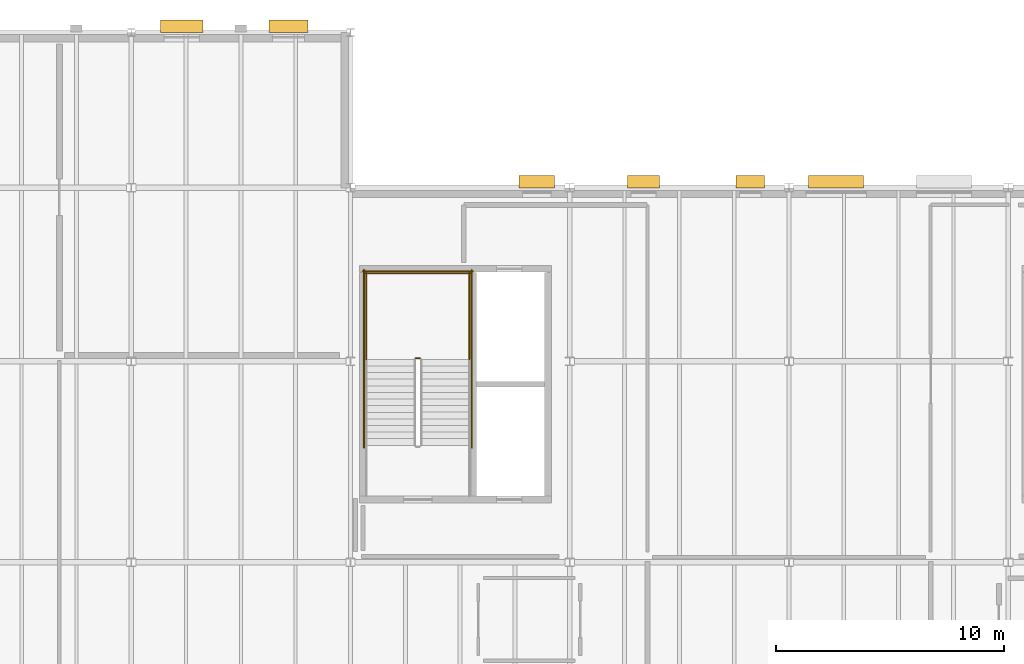
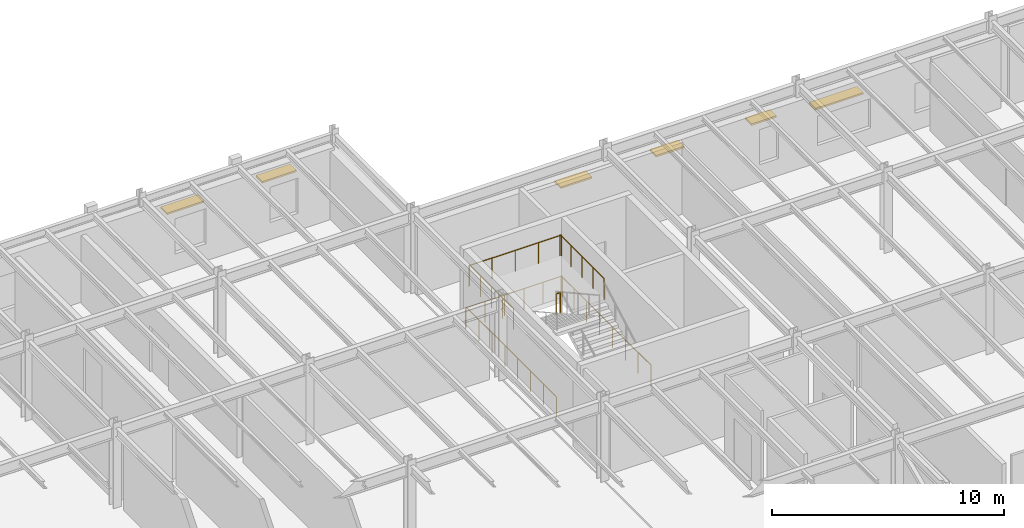
# One storey, part 86 of 88: 7 railings, 6 shading devices.
"""IFC4 building model written with IfcOpenShell, lengths in metres."""

from ifc_helpers import new_model, si_unit, direction, frame, origin, origin_2d, place, context, subcontext, project, spatial, rectangle, circle, extrude, material, layer, layer_set, type_object, element, save


model = new_model("IFC4")

# Units and contexts
model_context = context("Model", 3, precision=1e-05, world=origin(), true_north=direction((0.0, 1.0)))
body_context = subcontext(model_context, "Body", "Model", "MODEL_VIEW")
ifc_project = project(units=[si_unit("LENGTHUNIT", "METRE"), si_unit("AREAUNIT", "SQUARE_METRE"), si_unit("VOLUMEUNIT", "CUBIC_METRE"), si_unit("PLANEANGLEUNIT", "RADIAN"), si_unit("MASSUNIT", "GRAM", prefix="KILO")], contexts=[model_context])

# Site, building, storey
site_placement = place(None, origin())
site = spatial("IfcSite", under=ifc_project, at=site_placement, CompositionType="ELEMENT")
building_placement = place(site_placement, origin())
building = spatial("IfcBuilding", under=site, at=building_placement, Name="Sarnbrook Museum", CompositionType="ELEMENT")
storey_placement = place(building_placement, frame((0.0, 0.0, 10.10009765625)))
storey = spatial("IfcBuildingStorey", under=building, at=storey_placement, Name="L02", CompositionType="ELEMENT", Elevation=10.10009765625)

# Shading devices
ifc_material_1 = material(Name="Patinated Architectural Bronze")
shading_device_type = type_object("IfcShadingDeviceType", Name="BriseSoleil_Horizontal", PredefinedType="SHUTTER", material=ifc_material_1)
shading_device_1_placement = place(storey_placement, frame((102.05908203125, 108.669921875, 2.46484375), z_axis=(0.0, 0.0, 1.0), x_axis=(1.0, 0.0, 0.0)))
element("IfcShadingDevice", 1, at=shading_device_1_placement, inside=storey, type_object=shading_device_type, Name="Horizontal Bronze Brise-Soleil BS-016", PredefinedType="SHUTTER", context=body_context, shape_type="SweptSolid", body=[
    extrude(rectangle(XDim=2.39990234375, YDim=0.550048828125, at=origin_2d()), origin(), (0.0, 0.0, 1.0), 0.090087890625),
])
shading_device_2_placement = place(storey_placement, frame((98.30908203125, 108.669921875, 2.7646484375), z_axis=(0.0, 0.0, 1.0), x_axis=(1.0, 0.0, 0.0)))
element("IfcShadingDevice", 2, at=shading_device_2_placement, inside=storey, type_object=shading_device_type, Name="Horizontal Bronze Brise-Soleil BS-017", PredefinedType="SHUTTER", context=body_context, shape_type="SweptSolid", body=[
    extrude(rectangle(XDim=1.25, YDim=0.550048828125, at=origin_2d()), origin(), (0.0, 0.0, 1.0), 0.090087890625),
])
shading_device_3_placement = place(storey_placement, frame((93.634033203125, 108.669921875, 2.7646484375), z_axis=(0.0, 0.0, 1.0), x_axis=(1.0, 0.0, 0.0)))
element("IfcShadingDevice", 3, at=shading_device_3_placement, inside=storey, type_object=shading_device_type, Name="Horizontal Bronze Brise-Soleil BS-018", PredefinedType="SHUTTER", context=body_context, shape_type="SweptSolid", body=[
    extrude(rectangle(XDim=1.39990234375, YDim=0.550048828125, at=origin_2d()), origin(), (0.0, 0.0, 1.0), 0.090087890625),
])
shading_device_4_placement = place(storey_placement, frame((88.958984375, 108.669921875, 2.7646484375), z_axis=(0.0, 0.0, 1.0), x_axis=(1.0, 0.0, 0.0)))
element("IfcShadingDevice", 4, at=shading_device_4_placement, inside=storey, type_object=shading_device_type, Name="Horizontal Bronze Brise-Soleil BS-019", PredefinedType="SHUTTER", context=body_context, shape_type="SweptSolid", body=[
    extrude(rectangle(XDim=1.550048828125, YDim=0.550048828125, at=origin_2d()), origin(), (0.0, 0.0, 1.0), 0.090087890625),
])
shading_device_5_placement = place(storey_placement, frame((78.083984375, 115.469970703125, 2.7646484375), z_axis=(0.0, 0.0, 1.0), x_axis=(1.0, 0.0, 0.0)))
element("IfcShadingDevice", 5, at=shading_device_5_placement, inside=storey, type_object=shading_device_type, Name="Horizontal Bronze Brise-Soleil BS-020", PredefinedType="SHUTTER", context=body_context, shape_type="SweptSolid", body=[
    extrude(rectangle(XDim=1.699951171875, YDim=0.550048828125, at=origin_2d()), origin(), (0.0, 0.0, 1.0), 0.090087890625),
])
shading_device_6_placement = place(storey_placement, frame((73.408935546875, 115.469970703125, 2.7646484375), z_axis=(0.0, 0.0, 1.0), x_axis=(1.0, 0.0, 0.0)))
element("IfcShadingDevice", 6, at=shading_device_6_placement, inside=storey, type_object=shading_device_type, Name="Horizontal Bronze Brise-Soleil BS-021", PredefinedType="SHUTTER", context=body_context, shape_type="SweptSolid", body=[
    extrude(rectangle(XDim=1.85009765625, YDim=0.550048828125, at=origin_2d()), origin(), (0.0, 0.0, 1.0), 0.090087890625),
])

# Railings
ifc_material_2 = material(Name="Brushed Stainless Steel Grade 316", Category="steel")
ifc_layer = layer(ifc_material_2, 0.050048828125)
ifc_layer_set = layer_set([ifc_layer], Name="Brushed Stainless Steel Grade 316")
railing_type = type_object("IfcRailingType", Name="Guard_Int1120", PredefinedType="BALUSTRADE", material=ifc_layer_set)
railing_1_placement = place(storey_placement, frame((83.840087890625, 100.93994140625, 2.25)))
element("IfcRailing", 7, at=railing_1_placement, inside=storey, type_object=railing_type, Name="L02 ST4 stair guard 2", PredefinedType="BALUSTRADE", context=body_context, shape_type="SweptSolid", body=[
    extrude(circle(Radius=0.02392578125, at=origin_2d()), frame((0.0, 0.0, 1.09619140625), z_axis=(-1.0, 0.0, 0.0), x_axis=(0.0, -1.0, 0.0)), (0.0, 0.0, 1.0), 0.18017578125),
    extrude(circle(Radius=0.02099609375, at=origin_2d()), origin(), (0.0, 0.0, 1.0), 1.072021484375),
    extrude(circle(Radius=0.02099609375, at=origin_2d()), frame((-0.18017578125, 0.0, 0.0)), (0.0, 0.0, 1.0), 1.072021484375),
])
for number, where, name in (
    (8, (86.010009765625, 100.889892578125, 2.25), "L02 ST4 stair guard 3"),
    (9, (81.489990234375, 100.889892578125, 2.25), "L02 ST4 stair guard 4"),
):
    element("IfcRailing", number, at=place(storey_placement, frame(where)), inside=storey, type_object=railing_type, Name=name, PredefinedType="BALUSTRADE", context=body_context, shape_type="SweptSolid", body=[
        extrude(circle(Radius=0.02392578125, at=origin_2d()), frame((0.0, 0.0, 1.09619140625), z_axis=(0.0, 1.0, 0.0), x_axis=(-1.0, 0.0, 0.0)), (0.0, 0.0, 1.0), 3.81005859375),
        extrude(circle(Radius=0.02099609375, at=origin_2d()), origin(), (0.0, 0.0, 1.0), 1.072021484375),
        extrude(circle(Radius=0.02099609375, at=origin_2d()), frame((0.0, 0.95263671875, 0.0)), (0.0, 0.0, 1.0), 1.072021484375),
        extrude(circle(Radius=0.02099609375, at=origin_2d()), frame((0.0, 1.905029296875, 0.0)), (0.0, 0.0, 1.0), 1.072021484375),
        extrude(circle(Radius=0.02099609375, at=origin_2d()), frame((0.0, 2.857421875, 0.0)), (0.0, 0.0, 1.0), 1.072021484375),
        extrude(circle(Radius=0.02099609375, at=origin_2d()), frame((0.0, 3.81005859375, 0.0)), (0.0, 0.0, 1.0), 1.072021484375),
    ])
railing_2_placement = place(storey_placement, frame((86.06005859375, 104.64990234375, 2.25)))
element("IfcRailing", 10, at=railing_2_placement, inside=storey, type_object=railing_type, Name="L02 ST4 stair guard 5", PredefinedType="BALUSTRADE", context=body_context, shape_type="SweptSolid", body=[
    extrude(circle(Radius=0.02392578125, at=origin_2d()), frame((0.0, 0.0, 1.09619140625), z_axis=(-1.0, 0.0, 0.0), x_axis=(0.0, -1.0, 0.0)), (0.0, 0.0, 1.0), 4.6201171875),
    extrude(circle(Radius=0.02099609375, at=origin_2d()), origin(), (0.0, 0.0, 1.0), 1.072021484375),
    extrude(circle(Radius=0.02099609375, at=origin_2d()), frame((-1.155029296875, 0.0, 0.0)), (0.0, 0.0, 1.0), 1.072021484375),
    extrude(circle(Radius=0.02099609375, at=origin_2d()), frame((-2.31005859375, 0.0, 0.0)), (0.0, 0.0, 1.0), 1.072021484375),
    extrude(circle(Radius=0.02099609375, at=origin_2d()), frame((-3.465087890625, 0.0, 0.0)), (0.0, 0.0, 1.0), 1.072021484375),
    extrude(circle(Radius=0.02099609375, at=origin_2d()), frame((-4.6201171875, 0.0, 0.0)), (0.0, 0.0, 1.0), 1.072021484375),
])
for number, where, name in (
    (11, (86.110107421875, 97.02001953125, 0.0), "L02 ST4 stair guard 10"),
    (12, (81.389892578125, 97.02001953125, 0.0), "L02 ST4 stair guard 11"),
):
    element("IfcRailing", number, at=place(storey_placement, frame(where)), inside=storey, type_object=railing_type, Name=name, PredefinedType="BALUSTRADE", context=body_context, shape_type="SweptSolid", body=[
        extrude(circle(Radius=0.02392578125, at=origin_2d()), frame((0.0, 0.0, 1.09619140625), z_axis=(0.0, 1.0, 0.0), x_axis=(-1.0, 0.0, 0.0)), (0.0, 0.0, 1.0), 7.780029296875),
        extrude(circle(Radius=0.02099609375, at=origin_2d()), origin(), (0.0, 0.0, 1.0), 1.072021484375),
        extrude(circle(Radius=0.02099609375, at=origin_2d()), frame((0.0, 1.111328125, 0.0)), (0.0, 0.0, 1.0), 1.072021484375),
        extrude(circle(Radius=0.02099609375, at=origin_2d()), frame((0.0, 2.222900390625, 0.0)), (0.0, 0.0, 1.0), 1.072021484375),
        extrude(circle(Radius=0.02099609375, at=origin_2d()), frame((0.0, 3.334228515625, 0.0)), (0.0, 0.0, 1.0), 1.072021484375),
        extrude(circle(Radius=0.02099609375, at=origin_2d()), frame((0.0, 4.44580078125, 0.0)), (0.0, 0.0, 1.0), 1.072021484375),
        extrude(circle(Radius=0.02099609375, at=origin_2d()), frame((0.0, 5.55712890625, 0.0)), (0.0, 0.0, 1.0), 1.072021484375),
        extrude(circle(Radius=0.02099609375, at=origin_2d()), frame((0.0, 6.668701171875, 0.0)), (0.0, 0.0, 1.0), 1.072021484375),
        extrude(circle(Radius=0.02099609375, at=origin_2d()), frame((0.0, 7.780029296875, 0.0)), (0.0, 0.0, 1.0), 1.072021484375),
    ])
railing_3_placement = place(storey_placement, frame((86.159912109375, 104.75, 0.0)))
element("IfcRailing", 13, at=railing_3_placement, inside=storey, type_object=railing_type, Name="L02 ST4 stair guard 12", PredefinedType="BALUSTRADE", context=body_context, shape_type="SweptSolid", body=[
    extrude(circle(Radius=0.02392578125, at=origin_2d()), frame((0.0, 0.0, 1.09619140625), z_axis=(-1.0, 0.0, 0.0), x_axis=(0.0, -1.0, 0.0)), (0.0, 0.0, 1.0), 4.81982421875),
    extrude(circle(Radius=0.02099609375, at=origin_2d()), origin(), (0.0, 0.0, 1.0), 1.072021484375),
    extrude(circle(Radius=0.02099609375, at=origin_2d()), frame((-0.9638671875, 0.0, 0.0)), (0.0, 0.0, 1.0), 1.072021484375),
    extrude(circle(Radius=0.02099609375, at=origin_2d()), frame((-1.927978515625, 0.0, 0.0)), (0.0, 0.0, 1.0), 1.072021484375),
    extrude(circle(Radius=0.02099609375, at=origin_2d()), frame((-2.891845703125, 0.0, 0.0)), (0.0, 0.0, 1.0), 1.072021484375),
    extrude(circle(Radius=0.02099609375, at=origin_2d()), frame((-3.85595703125, 0.0, 0.0)), (0.0, 0.0, 1.0), 1.072021484375),
    extrude(circle(Radius=0.02099609375, at=origin_2d()), frame((-4.81982421875, 0.0, 0.0)), (0.0, 0.0, 1.0), 1.072021484375),
])

save(model, "model.ifc")
